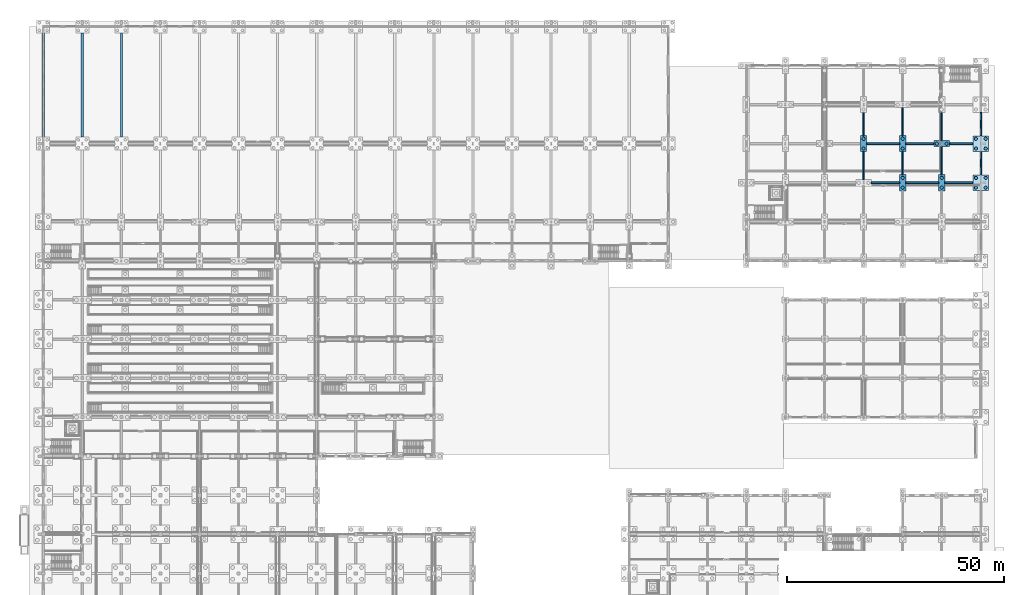
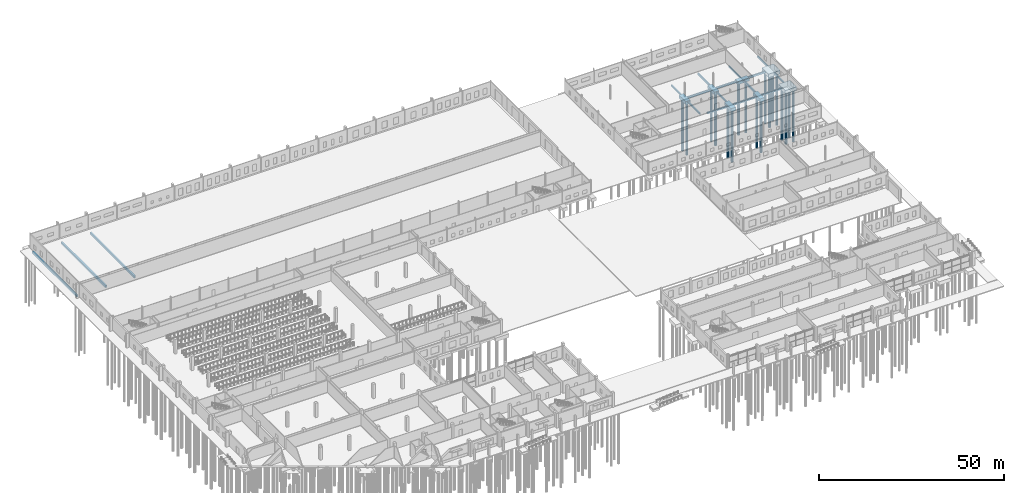
# One storey, part 16 of 112: 24 footings, 18 piles.
"""IFC4 building model written with IfcOpenShell, lengths in metres."""

from ifc_helpers import new_model, si_unit, direction, frame, origin, origin_2d, place, context, subcontext, project, spatial, polyline, rectangle, circle, outline, extrude, material, material_profile, profile_set, type_object, element, save


model = new_model("IFC4")

# Units and contexts
model_context = context("Model", 3, precision=1e-05, world=origin(), true_north=direction((0.0, 1.0)))
body_context = subcontext(model_context, "Body", "Model", "MODEL_VIEW")
ifc_project = project(units=[si_unit("LENGTHUNIT", "METRE"), si_unit("AREAUNIT", "SQUARE_METRE"), si_unit("VOLUMEUNIT", "CUBIC_METRE"), si_unit("PLANEANGLEUNIT", "RADIAN"), si_unit("MASSUNIT", "GRAM", prefix="KILO")], contexts=[model_context])

# Site, building, storey
site_placement = place(None, origin())
site = spatial("IfcSite", under=ifc_project, at=site_placement, CompositionType="ELEMENT")
building_placement = place(site_placement, origin())
building = spatial("IfcBuilding", under=site, at=building_placement, Name="Tharagai Park Tramway Depot", CompositionType="ELEMENT")
storey_placement = place(building_placement, origin())
storey = spatial("IfcBuildingStorey", under=building, at=storey_placement, Name="L00", CompositionType="ELEMENT", Elevation=0.0)

# Piles
ifc_material = material(Name="Concrete M40", Category="concrete")
ifc_material_profile = material_profile(ifc_material, circle(Radius=0.375, at=origin_2d()), Name="PILE D750")
ifc_profile_set = profile_set([ifc_material_profile], Name="Concrete M40")
pile_type = type_object("IfcPileType", Name="BP-02", PredefinedType="BORED", material=ifc_profile_set)
for number, where, z_axis, x_axis, name in (
    (1, (189.0, 115.875, -1.280029296875), (0.0, 0.0, -1.0), (1.0, 0.0, 0.0), "Bored Pile BP-02 (189,117) #1"),
    (2, (189.0, 118.125, -1.280029296875), (0.0, 0.0, -1.0), (1.0, 0.0, 0.0), "Bored Pile BP-02 (189,117) #2"),
    (3, (198.0, 106.875, -1.280029296875), (0.0, 0.0, -1.0), (1.0, 0.0, 0.0), "Bored Pile BP-02 (198,108) #1"),
    (4, (198.0, 109.125, -1.280029296875), (0.0, 0.0, -1.0), (1.0, 0.0, 0.0), "Bored Pile BP-02 (198,108) #2"),
    (5, (198.0, 115.875, -1.280029296875), (0.0, 0.0, -1.0), (1.0, 0.0, 0.0), "Bored Pile BP-02 (198,117) #1"),
    (6, (198.0, 118.125, -1.280029296875), (0.0, 0.0, -1.0), (1.0, 0.0, 0.0), "Bored Pile BP-02 (198,117) #2"),
    (7, (207.0, 106.875, -1.280029296875), (0.0, 0.0, -1.0), (1.0, 0.0, 0.0), "Bored Pile BP-02 (207,108) #1"),
    (8, (207.0, 109.125, -1.280029296875), (0.0, 0.0, -1.0), (1.0, 0.0, 0.0), "Bored Pile BP-02 (207,108) #2"),
):
    element("IfcPile", number, at=place(storey_placement, frame(where, z_axis=z_axis, x_axis=x_axis)), inside=storey, type_object=pile_type, Name=name, PredefinedType="BORED", context=body_context, shape_type="SweptSolid", body=[
        extrude(circle(Radius=0.375, at=origin_2d()), origin(), (0.0, 0.0, 1.0), 17.219970703125),
    ])
for number, where, z_axis, x_axis, name in (
    (9, (205.875, 117.0, -1.25), (0.0, 0.0, -1.0), (1.0, 0.0, 0.0), "Bored Pile BP-02 (207,117) #1"),
    (10, (208.125, 117.0, -1.25), (0.0, 0.0, -1.0), (1.0, 0.0, 0.0), "Bored Pile BP-02 (207,117) #2"),
):
    element("IfcPile", number, at=place(storey_placement, frame(where, z_axis=z_axis, x_axis=x_axis)), inside=storey, type_object=pile_type, Name=name, PredefinedType="BORED", context=body_context, shape_type="SweptSolid", body=[
        extrude(circle(Radius=0.375, at=origin_2d()), origin(), (0.0, 0.0, 1.0), 17.25),
    ])
for number, where, z_axis, x_axis, name in (
    (11, (214.875, 106.875, -1.35009765625), (0.0, 0.0, -1.0), (1.0, 0.0, 0.0), "Bored Pile BP-02 (216,108) #1"),
    (12, (217.125, 106.875, -1.35009765625), (0.0, 0.0, -1.0), (1.0, 0.0, 0.0), "Bored Pile BP-02 (216,108) #2"),
    (13, (214.875, 109.125, -1.35009765625), (0.0, 0.0, -1.0), (1.0, 0.0, 0.0), "Bored Pile BP-02 (216,108) #3"),
    (14, (217.125, 109.125, -1.35009765625), (0.0, 0.0, -1.0), (1.0, 0.0, 0.0), "Bored Pile BP-02 (216,108) #4"),
    (15, (214.875, 115.875, -1.35009765625), (0.0, 0.0, -1.0), (1.0, 0.0, 0.0), "Bored Pile BP-02 (216,117) #1"),
    (16, (217.125, 115.875, -1.35009765625), (0.0, 0.0, -1.0), (1.0, 0.0, 0.0), "Bored Pile BP-02 (216,117) #2"),
    (17, (214.875, 118.125, -1.35009765625), (0.0, 0.0, -1.0), (1.0, 0.0, 0.0), "Bored Pile BP-02 (216,117) #3"),
    (18, (217.125, 118.125, -1.35009765625), (0.0, 0.0, -1.0), (1.0, 0.0, 0.0), "Bored Pile BP-02 (216,117) #4"),
):
    element("IfcPile", number, at=place(storey_placement, frame(where, z_axis=z_axis, x_axis=x_axis)), inside=storey, type_object=pile_type, Name=name, PredefinedType="BORED", context=body_context, shape_type="SweptSolid", body=[
        extrude(circle(Radius=0.375, at=origin_2d()), origin(), (0.0, 0.0, 1.0), 17.14990234375),
    ])

# Footings
footing_type_1 = type_object("IfcFootingType", Name="GB-02", PredefinedType="FOOTING_BEAM", material=ifc_material)
footing_1_placement = place(storey_placement, frame((0.0, 0.0, -1.0)))
element("IfcFooting", 19, at=footing_1_placement, inside=storey, type_object=footing_type_1, Name="Ground Tie Beam GB-02", PredefinedType="FOOTING_BEAM", context=body_context, shape_type="SweptSolid", body=[
    extrude(outline(polyline([(-0.25, 118.5), (0.25, 118.5), (0.25, 142.5), (-0.25, 142.5), (-0.25, 118.5)])), origin(), (0.0, 0.0, 1.0), 0.699951171875),
])
footing_2_placement = place(storey_placement, frame((0.0, 0.0, -1.0)))
element("IfcFooting", 20, at=footing_2_placement, inside=storey, type_object=footing_type_1, Name="Ground Tie Beam GB-02", PredefinedType="FOOTING_BEAM", context=body_context, shape_type="SweptSolid", body=[
    extrude(outline(polyline([(8.75, 118.5), (9.25, 118.5), (9.25, 142.5), (8.75, 142.5), (8.75, 118.5)])), origin(), (0.0, 0.0, 1.0), 0.699951171875),
])
footing_3_placement = place(storey_placement, frame((0.0, 0.0, -1.0)))
element("IfcFooting", 21, at=footing_3_placement, inside=storey, type_object=footing_type_1, Name="Ground Tie Beam GB-02", PredefinedType="FOOTING_BEAM", context=body_context, shape_type="SweptSolid", body=[
    extrude(outline(polyline([(17.75, 118.5), (18.25, 118.5), (18.25, 142.5), (17.75, 142.5), (17.75, 118.5)])), origin(), (0.0, 0.0, 1.0), 0.699951171875),
])
footing_type_2 = type_object("IfcFootingType", Name="GB-03", PredefinedType="FOOTING_BEAM", material=ifc_material)
footing_4_placement = place(storey_placement, frame((0.0, 0.0, -0.85009765625)))
element("IfcFooting", 22, at=footing_4_placement, inside=storey, type_object=footing_type_2, Name="Ground Tie Beam GB-03", PredefinedType="FOOTING_BEAM", context=body_context, shape_type="SweptSolid", body=[
    extrude(outline(polyline([(188.824951171875, 108.699951171875), (189.175048828125, 108.699951171875), (189.175048828125, 115.14990234375), (188.824951171875, 115.14990234375), (188.824951171875, 108.699951171875)])), origin(), (0.0, 0.0, 1.0), 0.550048828125),
])
footing_5_placement = place(storey_placement, frame((0.0, 0.0, -0.85009765625)))
element("IfcFooting", 23, at=footing_5_placement, inside=storey, type_object=footing_type_2, Name="Ground Tie Beam GB-03", PredefinedType="FOOTING_BEAM", context=body_context, shape_type="SweptSolid", body=[
    extrude(outline(polyline([(188.824951171875, 118.85009765625), (189.175048828125, 118.85009765625), (189.175048828125, 124.14990234375), (188.824951171875, 124.14990234375), (188.824951171875, 118.85009765625)])), origin(), (0.0, 0.0, 1.0), 0.550048828125),
])
footing_6_placement = place(storey_placement, frame((0.0, 0.0, -0.85009765625)))
element("IfcFooting", 24, at=footing_6_placement, inside=storey, type_object=footing_type_2, Name="Ground Tie Beam GB-03", PredefinedType="FOOTING_BEAM", context=body_context, shape_type="SweptSolid", body=[
    extrude(outline(polyline([(197.824951171875, 109.85009765625), (198.175048828125, 109.85009765625), (198.175048828125, 115.14990234375), (197.824951171875, 115.14990234375), (197.824951171875, 109.85009765625)])), origin(), (0.0, 0.0, 1.0), 0.550048828125),
])
footing_7_placement = place(storey_placement, frame((0.0, 0.0, -0.85009765625)))
element("IfcFooting", 25, at=footing_7_placement, inside=storey, type_object=footing_type_2, Name="Ground Tie Beam GB-03", PredefinedType="FOOTING_BEAM", context=body_context, shape_type="SweptSolid", body=[
    extrude(outline(polyline([(197.824951171875, 118.85009765625), (198.175048828125, 118.85009765625), (198.175048828125, 125.300048828125), (197.824951171875, 125.300048828125), (197.824951171875, 118.85009765625)])), origin(), (0.0, 0.0, 1.0), 0.550048828125),
])
footing_8_placement = place(storey_placement, frame((0.0, 0.0, -0.85009765625)))
element("IfcFooting", 26, at=footing_8_placement, inside=storey, type_object=footing_type_2, Name="Ground Tie Beam GB-03", PredefinedType="FOOTING_BEAM", context=body_context, shape_type="SweptSolid", body=[
    extrude(outline(polyline([(206.824951171875, 109.85009765625), (207.175048828125, 109.85009765625), (207.175048828125, 116.300048828125), (206.824951171875, 116.300048828125), (206.824951171875, 109.85009765625)])), origin(), (0.0, 0.0, 1.0), 0.550048828125),
])
footing_9_placement = place(storey_placement, frame((0.0, 0.0, -0.85009765625)))
element("IfcFooting", 27, at=footing_9_placement, inside=storey, type_object=footing_type_2, Name="Ground Tie Beam GB-03", PredefinedType="FOOTING_BEAM", context=body_context, shape_type="SweptSolid", body=[
    extrude(outline(polyline([(206.824951171875, 117.699951171875), (207.175048828125, 117.699951171875), (207.175048828125, 124.14990234375), (206.824951171875, 124.14990234375), (206.824951171875, 117.699951171875)])), origin(), (0.0, 0.0, 1.0), 0.550048828125),
])
footing_10_placement = place(storey_placement, frame((0.0, 0.0, -0.85009765625)))
element("IfcFooting", 28, at=footing_10_placement, inside=storey, type_object=footing_type_2, Name="Ground Tie Beam GB-03", PredefinedType="FOOTING_BEAM", context=body_context, shape_type="SweptSolid", body=[
    extrude(outline(polyline([(215.824951171875, 109.800048828125), (216.175048828125, 109.800048828125), (216.175048828125, 115.199951171875), (215.824951171875, 115.199951171875), (215.824951171875, 109.800048828125)])), origin(), (0.0, 0.0, 1.0), 0.550048828125),
])
footing_11_placement = place(storey_placement, frame((0.0, 0.0, -0.85009765625)))
element("IfcFooting", 29, at=footing_11_placement, inside=storey, type_object=footing_type_2, Name="Ground Tie Beam GB-03", PredefinedType="FOOTING_BEAM", context=body_context, shape_type="SweptSolid", body=[
    extrude(outline(polyline([(215.824951171875, 118.800048828125), (216.175048828125, 118.800048828125), (216.175048828125, 124.199951171875), (215.824951171875, 124.199951171875), (215.824951171875, 118.800048828125)])), origin(), (0.0, 0.0, 1.0), 0.550048828125),
])
footing_type_3 = type_object("IfcFootingType", Name="GB-04", PredefinedType="FOOTING_BEAM", material=ifc_material)
footing_12_placement = place(storey_placement, frame((0.0, 0.0, -0.89990234375)))
element("IfcFooting", 30, at=footing_12_placement, inside=storey, type_object=footing_type_3, Name="Ground Tie Beam GB-04", PredefinedType="FOOTING_BEAM", context=body_context, shape_type="SweptSolid", body=[
    extrude(outline(polyline([(190.800048828125, 107.800048828125), (197.27490234375, 107.800048828125), (197.27490234375, 108.199951171875), (190.800048828125, 108.199951171875), (190.800048828125, 107.800048828125)])), origin(), (0.0, 0.0, 1.0), 0.599853515625),
])
footing_13_placement = place(storey_placement, frame((0.0, 0.0, -0.89990234375)))
element("IfcFooting", 31, at=footing_13_placement, inside=storey, type_object=footing_type_3, Name="Ground Tie Beam GB-04", PredefinedType="FOOTING_BEAM", context=body_context, shape_type="SweptSolid", body=[
    extrude(outline(polyline([(198.72509765625, 107.800048828125), (206.27490234375, 107.800048828125), (206.27490234375, 108.199951171875), (198.72509765625, 108.199951171875), (198.72509765625, 107.800048828125)])), origin(), (0.0, 0.0, 1.0), 0.599853515625),
])
footing_14_placement = place(storey_placement, frame((0.0, 0.0, -0.89990234375)))
element("IfcFooting", 32, at=footing_14_placement, inside=storey, type_object=footing_type_3, Name="Ground Tie Beam GB-04", PredefinedType="FOOTING_BEAM", context=body_context, shape_type="SweptSolid", body=[
    extrude(outline(polyline([(207.72509765625, 107.800048828125), (214.199951171875, 107.800048828125), (214.199951171875, 108.199951171875), (207.72509765625, 108.199951171875), (207.72509765625, 107.800048828125)])), origin(), (0.0, 0.0, 1.0), 0.599853515625),
])
footing_15_placement = place(storey_placement, frame((0.0, 0.0, -0.89990234375)))
element("IfcFooting", 33, at=footing_15_placement, inside=storey, type_object=footing_type_3, Name="Ground Tie Beam GB-04", PredefinedType="FOOTING_BEAM", context=body_context, shape_type="SweptSolid", body=[
    extrude(outline(polyline([(189.72509765625, 116.800048828125), (197.27490234375, 116.800048828125), (197.27490234375, 117.199951171875), (189.72509765625, 117.199951171875), (189.72509765625, 116.800048828125)])), origin(), (0.0, 0.0, 1.0), 0.599853515625),
])
footing_16_placement = place(storey_placement, frame((0.0, 0.0, -0.89990234375)))
element("IfcFooting", 34, at=footing_16_placement, inside=storey, type_object=footing_type_3, Name="Ground Tie Beam GB-04", PredefinedType="FOOTING_BEAM", context=body_context, shape_type="SweptSolid", body=[
    extrude(outline(polyline([(198.72509765625, 116.800048828125), (205.199951171875, 116.800048828125), (205.199951171875, 117.199951171875), (198.72509765625, 117.199951171875), (198.72509765625, 116.800048828125)])), origin(), (0.0, 0.0, 1.0), 0.599853515625),
])
footing_17_placement = place(storey_placement, frame((0.0, 0.0, -0.89990234375)))
element("IfcFooting", 35, at=footing_17_placement, inside=storey, type_object=footing_type_3, Name="Ground Tie Beam GB-04", PredefinedType="FOOTING_BEAM", context=body_context, shape_type="SweptSolid", body=[
    extrude(outline(polyline([(208.800048828125, 116.800048828125), (214.199951171875, 116.800048828125), (214.199951171875, 117.199951171875), (208.800048828125, 117.199951171875), (208.800048828125, 116.800048828125)])), origin(), (0.0, 0.0, 1.0), 0.599853515625),
])
footing_type_4 = type_object("IfcFootingType", Name="PC-03", PredefinedType="PILE_CAP", material=ifc_material)
for number, where, z_axis, x_axis, name in (
    (36, (216.0, 108.0, -1.449951171875), (0.0, 0.0, 1.0), (1.0, 0.0, 0.0), "Pile Cap PC-03 (216,108)"),
    (37, (216.0, 117.0, -1.449951171875), (0.0, 0.0, 1.0), (1.0, 0.0, 0.0), "Pile Cap PC-03 (216,117)"),
):
    element("IfcFooting", number, at=place(storey_placement, frame(where, z_axis=z_axis, x_axis=x_axis)), inside=storey, type_object=footing_type_4, Name=name, PredefinedType="PILE_CAP", context=body_context, shape_type="SweptSolid", body=[
        extrude(rectangle(XDim=3.60009765625, YDim=3.60009765625, at=origin_2d()), origin(), (0.0, 0.0, 1.0), 1.14990234375),
    ])
footing_type_5 = type_object("IfcFootingType", Name="PC-11", PredefinedType="PILE_CAP", material=ifc_material)
footing_18_placement = place(storey_placement, frame((207.0, 117.0, -1.35009765625), z_axis=(0.0, 0.0, 1.0), x_axis=(1.0, 0.0, 0.0)))
element("IfcFooting", 38, at=footing_18_placement, inside=storey, type_object=footing_type_5, Name="Pile Cap PC-11 (207,117)", PredefinedType="PILE_CAP", context=body_context, shape_type="SweptSolid", body=[
    extrude(rectangle(XDim=3.60009765625, YDim=1.39990234375, at=origin_2d()), origin(), (0.0, 0.0, 1.0), 1.050048828125),
])
footing_type_6 = type_object("IfcFootingType", Name="PC-14", PredefinedType="PILE_CAP", material=ifc_material)
for number, where, z_axis, x_axis, name in (
    (39, (189.0, 117.0, -1.380126953125), (0.0, 0.0, 1.0), (1.0, 0.0, 0.0), "Pile Cap PC-14 (189,117)"),
    (40, (198.0, 108.0, -1.380126953125), (0.0, 0.0, 1.0), (1.0, 0.0, 0.0), "Pile Cap PC-14 (198,108)"),
    (41, (198.0, 117.0, -1.380126953125), (0.0, 0.0, 1.0), (1.0, 0.0, 0.0), "Pile Cap PC-14 (198,117)"),
    (42, (207.0, 108.0, -1.380126953125), (0.0, 0.0, 1.0), (1.0, 0.0, 0.0), "Pile Cap PC-14 (207,108)"),
):
    element("IfcFooting", number, at=place(storey_placement, frame(where, z_axis=z_axis, x_axis=x_axis)), inside=storey, type_object=footing_type_6, Name=name, PredefinedType="PILE_CAP", context=body_context, shape_type="SweptSolid", body=[
        extrude(rectangle(XDim=1.449951171875, YDim=3.699951171875, at=origin_2d()), origin(), (0.0, 0.0, 1.0), 1.080078125),
    ])

save(model, "model.ifc")
